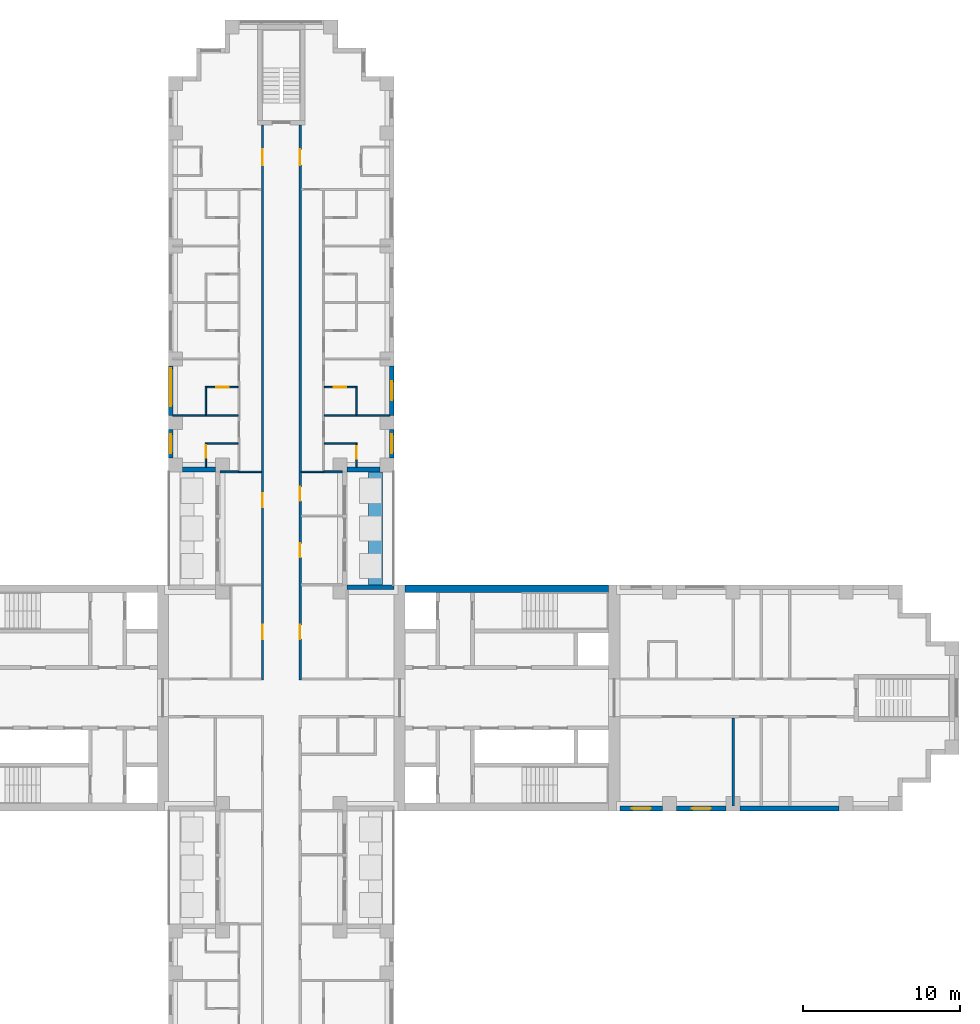
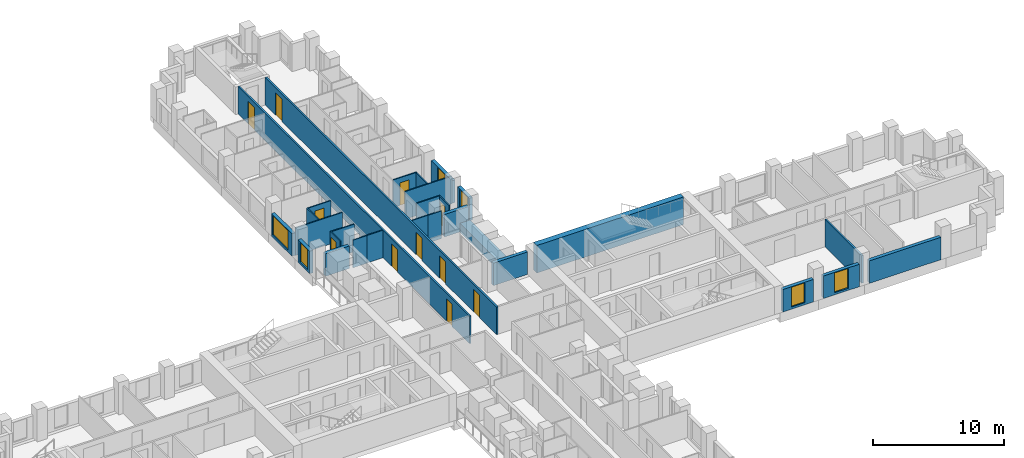
# One storey, part 9 of 15: 29 walls, 11 doors, 6 windows, 17 openings.
"""IFC4 building model written with IfcOpenShell, lengths in metres."""

from ifc_helpers import new_model, si_unit, direction, frame, frame_2d, origin, place, context, subcontext, project, spatial, rectangle, extrude, material, layer, layer_set, type_object, element, fill, save


model = new_model("IFC4")

# Units and contexts
model_context = context("Model", 3, precision=1e-05, world=origin(), true_north=direction((0.0, 1.0)))
body_context = subcontext(model_context, "Body", "Model", "MODEL_VIEW")
ifc_project = project(units=[si_unit("LENGTHUNIT", "METRE"), si_unit("AREAUNIT", "SQUARE_METRE"), si_unit("VOLUMEUNIT", "CUBIC_METRE"), si_unit("PLANEANGLEUNIT", "RADIAN"), si_unit("MASSUNIT", "GRAM", prefix="KILO")], contexts=[model_context])

# Site, building, storey
site_placement = place(None, origin())
site = spatial("IfcSite", under=ifc_project, at=site_placement, CompositionType="ELEMENT")
building_placement = place(site_placement, origin())
building = spatial("IfcBuilding", under=site, at=building_placement, Name="Fustian Cross Tower", CompositionType="ELEMENT")
storey_placement = place(building_placement, frame((0.0, 0.0, 14.699951171875)))
storey = spatial("IfcBuildingStorey", under=building, at=storey_placement, Name="L03", CompositionType="ELEMENT", Elevation=14.699951171875)

# Wall, openings, doors
ifc_material_1 = material(Name="Plasterboard on steel stud", Category="steel")
ifc_layer_1 = layer(ifc_material_1, 0.14990234375)
ifc_layer_set_1 = layer_set([ifc_layer_1], Name="Plasterboard on steel stud")
wall_type_1 = type_object("IfcWallType", Name="COMPARTMENT WALL 150 EI 60", PredefinedType="PARTITIONING", material=ifc_layer_set_1)
wall_1_placement = place(storey_placement, frame((-1.199951171875, 1.125, 0.0), z_axis=(0.0, 0.0, 1.0), x_axis=(0.0, 1.0, 0.0)))
wall_1 = element("IfcWall", 1, at=wall_1_placement, inside=storey, type_object=wall_type_1, Name="Partition 55", PredefinedType="PARTITIONING", context=body_context, shape_type="SweptSolid", body=[
    extrude(rectangle(XDim=35.375, YDim=0.14990234375, at=frame_2d((17.6875, 0.0))), origin(), (0.0, 0.0, 1.0), 2.574951171875),
])
opening_1_placement = place(wall_1_placement, frame((2.625, 0.0, 0.0)))
opening_1 = element("IfcOpeningElement", 2, at=opening_1_placement, cuts=wall_1, Name="Opening D04003", PredefinedType="OPENING", context=body_context, shape_type="SweptSolid", body=[
    extrude(rectangle(XDim=0.89990234375, YDim=2.10009765625, at=frame_2d((0.449951171875, 1.050048828125))), frame((0.0, 0.0849609375, 0.0), z_axis=(0.0, -1.0, 0.0), x_axis=(1.0, 0.0, 0.0)), (0.0, 0.0, 1.0), 0.169921875),
])
opening_2_placement = place(wall_1_placement, frame((11.02490234375, 0.0, 0.0)))
opening_2 = element("IfcOpeningElement", 3, at=opening_2_placement, cuts=wall_1, Name="Opening D04019", PredefinedType="OPENING", context=body_context, shape_type="SweptSolid", body=[
    extrude(rectangle(XDim=0.89990234375, YDim=2.10009765625, at=frame_2d((0.449951171875, 1.050048828125))), frame((0.0, 0.0849609375, 0.0), z_axis=(0.0, -1.0, 0.0), x_axis=(1.0, 0.0, 0.0)), (0.0, 0.0, 1.0), 0.169921875),
])
opening_3_placement = place(wall_1_placement, frame((32.824951171875, 0.0, 0.0)))
opening_3 = element("IfcOpeningElement", 4, at=opening_3_placement, cuts=wall_1, Name="Opening D04021", PredefinedType="OPENING", context=body_context, shape_type="SweptSolid", body=[
    extrude(rectangle(XDim=1.0, YDim=2.10009765625, at=frame_2d((0.5, 1.050048828125))), frame((0.0, 0.0849609375, 0.0), z_axis=(0.0, -1.0, 0.0), x_axis=(1.0, 0.0, 0.0)), (0.0, 0.0, 1.0), 0.169921875),
])
ifc_material_2 = material(Name="Timber fire door set", Category="wood")
door_type_1 = type_object("IfcDoorType", Name="FIRE SWING DOOR 1000 FD30S", OperationType="SINGLE_SWING_LEFT", PredefinedType="DOOR", material=ifc_material_2)
door_1_placement = place(opening_3_placement, origin())
door_1 = element("IfcDoor", 5, at=door_1_placement, inside=storey, type_object=door_type_1, Name="Door D04021", OperationType="SINGLE_SWING_LEFT", OverallHeight=2.10009765625, OverallWidth=1.0, PredefinedType="DOOR", context=body_context, shape_type="SweptSolid", body=[
    extrude(rectangle(XDim=1.0, YDim=2.10009765625, at=frame_2d((0.5, 1.050048828125))), frame((0.0, 0.02490234375, 0.0), z_axis=(0.0, -1.0, 0.0), x_axis=(1.0, 0.0, 0.0)), (0.0, 0.0, 1.0), 0.050048828125),
])
fill(opening_3, door_1)
ifc_material_3 = material(Name="Timber fire door set", Category="wood")
door_type_2 = type_object("IfcDoorType", Name="FIRE SWING DOOR 900 FD30S", OperationType="SINGLE_SWING_LEFT", PredefinedType="DOOR", material=ifc_material_3)
door_2_placement = place(opening_1_placement, origin())
door_2 = element("IfcDoor", 6, at=door_2_placement, inside=storey, type_object=door_type_2, Name="Door D04003", OperationType="SINGLE_SWING_LEFT", OverallHeight=2.10009765625, OverallWidth=0.89990234375, PredefinedType="DOOR", context=body_context, shape_type="SweptSolid", body=[
    extrude(rectangle(XDim=0.89990234375, YDim=2.10009765625, at=frame_2d((0.449951171875, 1.050048828125))), frame((0.0, 0.02490234375, 0.0), z_axis=(0.0, -1.0, 0.0), x_axis=(1.0, 0.0, 0.0)), (0.0, 0.0, 1.0), 0.050048828125),
])
fill(opening_1, door_2)
door_3_placement = place(opening_2_placement, origin())
door_3 = element("IfcDoor", 7, at=door_3_placement, inside=storey, type_object=door_type_2, Name="Door D04019", OperationType="SINGLE_SWING_RIGHT", OverallHeight=2.10009765625, OverallWidth=0.89990234375, PredefinedType="DOOR", context=body_context, shape_type="SweptSolid", body=[
    extrude(rectangle(XDim=0.89990234375, YDim=2.10009765625, at=frame_2d((0.449951171875, 1.050048828125))), frame((0.0, 0.02490234375, 0.0), z_axis=(0.0, -1.0, 0.0), x_axis=(1.0, 0.0, 0.0)), (0.0, 0.0, 1.0), 0.050048828125),
])
fill(opening_2, door_3)

wall_2_placement = place(storey_placement, frame((1.199951171875, 1.125, 0.0), z_axis=(0.0, 0.0, 1.0), x_axis=(0.0, 1.0, 0.0)))
wall_2 = element("IfcWall", 8, at=wall_2_placement, inside=storey, type_object=wall_type_1, Name="Partition 64", PredefinedType="PARTITIONING", context=body_context, shape_type="SweptSolid", body=[
    extrude(rectangle(XDim=35.375, YDim=0.14990234375, at=frame_2d((17.6875, 0.0))), origin(), (0.0, 0.0, 1.0), 2.574951171875),
])
opening_4_placement = place(wall_2_placement, frame((2.625, 0.0, 0.0)))
opening_4 = element("IfcOpeningElement", 9, at=opening_4_placement, cuts=wall_2, Name="Opening D04001", PredefinedType="OPENING", context=body_context, shape_type="SweptSolid", body=[
    extrude(rectangle(XDim=0.89990234375, YDim=2.10009765625, at=frame_2d((0.449951171875, 1.050048828125))), frame((0.0, 0.0849609375, 0.0), z_axis=(0.0, -1.0, 0.0), x_axis=(1.0, 0.0, 0.0)), (0.0, 0.0, 1.0), 0.169921875),
])
opening_5_placement = place(wall_2_placement, frame((11.425048828125, 0.0, 0.0)))
opening_5 = element("IfcOpeningElement", 10, at=opening_5_placement, cuts=wall_2, Name="Opening D04033", PredefinedType="OPENING", context=body_context, shape_type="SweptSolid", body=[
    extrude(rectangle(XDim=0.89990234375, YDim=2.10009765625, at=frame_2d((0.449951171875, 1.050048828125))), frame((0.0, 0.0849609375, 0.0), z_axis=(0.0, -1.0, 0.0), x_axis=(1.0, 0.0, 0.0)), (0.0, 0.0, 1.0), 0.169921875),
])
opening_6_placement = place(wall_2_placement, frame((7.824951171875, 0.0, 0.0)))
opening_6 = element("IfcOpeningElement", 11, at=opening_6_placement, cuts=wall_2, Name="Opening D04034", PredefinedType="OPENING", context=body_context, shape_type="SweptSolid", body=[
    extrude(rectangle(XDim=0.89990234375, YDim=2.10009765625, at=frame_2d((0.449951171875, 1.050048828125))), frame((0.0, 0.0849609375, 0.0), z_axis=(0.0, -1.0, 0.0), x_axis=(1.0, 0.0, 0.0)), (0.0, 0.0, 1.0), 0.169921875),
])
opening_7_placement = place(wall_2_placement, frame((32.824951171875, 0.0, 0.0)))
opening_7 = element("IfcOpeningElement", 12, at=opening_7_placement, cuts=wall_2, Name="Opening D04036", PredefinedType="OPENING", context=body_context, shape_type="SweptSolid", body=[
    extrude(rectangle(XDim=1.0, YDim=2.10009765625, at=frame_2d((0.5, 1.050048828125))), frame((0.0, 0.0849609375, 0.0), z_axis=(0.0, -1.0, 0.0), x_axis=(1.0, 0.0, 0.0)), (0.0, 0.0, 1.0), 0.169921875),
])
door_4_placement = place(opening_7_placement, frame((1.0, 0.0, 0.0), z_axis=(0.0, 0.0, 1.0), x_axis=(-1.0, 0.0, 0.0)))
door_4 = element("IfcDoor", 13, at=door_4_placement, inside=storey, type_object=door_type_1, Name="Door D04036", OperationType="SINGLE_SWING_RIGHT", OverallHeight=2.10009765625, OverallWidth=1.0, PredefinedType="DOOR", context=body_context, shape_type="SweptSolid", body=[
    extrude(rectangle(XDim=1.0, YDim=2.10009765625, at=frame_2d((0.5, 1.050048828125))), frame((0.0, 0.02490234375, 0.0), z_axis=(0.0, -1.0, 0.0), x_axis=(1.0, 0.0, 0.0)), (0.0, 0.0, 1.0), 0.050048828125),
])
fill(opening_7, door_4)
door_5_placement = place(opening_4_placement, frame((0.89990234375, 0.0, 0.0), z_axis=(0.0, 0.0, 1.0), x_axis=(-1.0, 0.0, 0.0)))
door_5 = element("IfcDoor", 14, at=door_5_placement, inside=storey, type_object=door_type_2, Name="Door D04001", OperationType="SINGLE_SWING_RIGHT", OverallHeight=2.10009765625, OverallWidth=0.89990234375, PredefinedType="DOOR", context=body_context, shape_type="SweptSolid", body=[
    extrude(rectangle(XDim=0.89990234375, YDim=2.10009765625, at=frame_2d((0.449951171875, 1.050048828125))), frame((0.0, 0.02490234375, 0.0), z_axis=(0.0, -1.0, 0.0), x_axis=(1.0, 0.0, 0.0)), (0.0, 0.0, 1.0), 0.050048828125),
])
fill(opening_4, door_5)
door_6_placement = place(opening_5_placement, frame((0.89990234375, 0.0, 0.0), z_axis=(0.0, 0.0, 1.0), x_axis=(-1.0, 0.0, 0.0)))
door_6 = element("IfcDoor", 15, at=door_6_placement, inside=storey, type_object=door_type_2, Name="Door D04033", OperationType="SINGLE_SWING_RIGHT", OverallHeight=2.10009765625, OverallWidth=0.89990234375, PredefinedType="DOOR", context=body_context, shape_type="SweptSolid", body=[
    extrude(rectangle(XDim=0.89990234375, YDim=2.10009765625, at=frame_2d((0.449951171875, 1.050048828125))), frame((0.0, 0.02490234375, 0.0), z_axis=(0.0, -1.0, 0.0), x_axis=(1.0, 0.0, 0.0)), (0.0, 0.0, 1.0), 0.050048828125),
])
fill(opening_5, door_6)
door_7_placement = place(opening_6_placement, frame((0.89990234375, 0.0, 0.0), z_axis=(0.0, 0.0, 1.0), x_axis=(-1.0, 0.0, 0.0)))
door_7 = element("IfcDoor", 16, at=door_7_placement, inside=storey, type_object=door_type_2, Name="Door D04034", OperationType="SINGLE_SWING_RIGHT", OverallHeight=2.10009765625, OverallWidth=0.89990234375, PredefinedType="DOOR", context=body_context, shape_type="SweptSolid", body=[
    extrude(rectangle(XDim=0.89990234375, YDim=2.10009765625, at=frame_2d((0.449951171875, 1.050048828125))), frame((0.0, 0.02490234375, 0.0), z_axis=(0.0, -1.0, 0.0), x_axis=(1.0, 0.0, 0.0)), (0.0, 0.0, 1.0), 0.050048828125),
])
fill(opening_6, door_7)

# Walls
wall_3_placement = place(storey_placement, frame((28.800048828125, -6.89990234375, 0.0), z_axis=(0.0, 0.0, 1.0), x_axis=(0.0, 1.0, 0.0)))
element("IfcWall", 17, at=wall_3_placement, inside=storey, type_object=wall_type_1, Name="Partition 104", PredefinedType="PARTITIONING", context=body_context, shape_type="SweptSolid", body=[
    extrude(rectangle(XDim=5.625, YDim=0.14990234375, at=frame_2d((2.8125, 0.0))), origin(), (0.0, 0.0, 1.0), 2.574951171875),
])
ifc_material_4 = material(Name="Concrete C80/95", Category="concrete")
ifc_layer_2 = layer(ifc_material_4, 0.5)
ifc_layer_set_2 = layer_set([ifc_layer_2], Name="Concrete C80/95")
wall_type_2 = type_object("IfcWallType", Name="CORE FACADE WALL 500 C80/95", PredefinedType="SHEAR", material=ifc_layer_set_2)
wall_4_placement = place(storey_placement, frame((7.89990234375, 6.949951171875, 0.0), z_axis=(0.0, 0.0, 1.0), x_axis=(1.0, 0.0, 0.0)))
element("IfcWall", 18, at=wall_4_placement, inside=storey, type_object=wall_type_2, Name="Core facade wall", PredefinedType="SHEAR", context=body_context, shape_type="SweptSolid", body=[
    extrude(rectangle(XDim=12.9501953125, YDim=0.5, at=frame_2d((6.47509765625, 0.0))), origin(), (0.0, 0.0, 1.0), 2.574951171875),
])
ifc_material_5 = material(Name="Plasterboard on steel stud", Category="steel")
ifc_layer_3 = layer(ifc_material_5, 0.10009765625)
ifc_layer_set_3 = layer_set([ifc_layer_3], Name="Plasterboard on steel stud")
wall_type_3 = type_object("IfcWallType", Name="PARTITION 100 STUD", PredefinedType="PARTITIONING", material=ifc_layer_set_3)
wall_5_placement = place(storey_placement, frame((-6.89990234375, 18.0, 0.0), z_axis=(0.0, 0.0, 1.0), x_axis=(1.0, 0.0, 0.0)))
element("IfcWall", 19, at=wall_5_placement, inside=storey, type_object=wall_type_3, Name="Partition 17", PredefinedType="PARTITIONING", context=body_context, shape_type="SweptSolid", body=[
    extrude(rectangle(XDim=4.14990234375, YDim=0.10009765625, at=frame_2d((2.074951171875, 0.0))), origin(), (0.0, 0.0, 1.0), 2.574951171875),
])

# Wall, opening, door
wall_6_placement = place(storey_placement, frame((-4.800048828125, 14.699951171875, 0.0), z_axis=(0.0, 0.0, 1.0), x_axis=(0.0, 1.0, 0.0)))
wall_6 = element("IfcWall", 20, at=wall_6_placement, inside=storey, type_object=wall_type_3, Name="Partition 35", PredefinedType="PARTITIONING", context=body_context, shape_type="SweptSolid", body=[
    extrude(rectangle(XDim=1.550048828125, YDim=0.10009765625, at=frame_2d((0.77490234375, 0.0))), origin(), (0.0, 0.0, 1.0), 2.574951171875),
])
opening_8_placement = place(wall_6_placement, frame((0.60009765625, 0.0, 0.0)))
opening_8 = element("IfcOpeningElement", 21, at=opening_8_placement, cuts=wall_6, Name="Opening D04028", PredefinedType="OPENING", context=body_context, shape_type="SweptSolid", body=[
    extrude(rectangle(XDim=0.800048828125, YDim=2.10009765625, at=frame_2d((0.39990234375, 1.050048828125))), frame((0.0, 0.06005859375, 0.0), z_axis=(0.0, -1.0, 0.0), x_axis=(1.0, 0.0, 0.0)), (0.0, 0.0, 1.0), 0.1201171875),
])
ifc_material_6 = material(Name="Painted timber", Category="wood")
door_type_3 = type_object("IfcDoorType", Name="SWING DOOR 800", OperationType="SINGLE_SWING_LEFT", PredefinedType="DOOR", material=ifc_material_6)
door_8_placement = place(opening_8_placement, frame((0.800048828125, 0.0, 0.0), z_axis=(0.0, 0.0, 1.0), x_axis=(-1.0, 0.0, 0.0)))
door_8 = element("IfcDoor", 22, at=door_8_placement, inside=storey, type_object=door_type_3, Name="Door D04028", OperationType="SINGLE_SWING_LEFT", OverallHeight=2.10009765625, OverallWidth=0.800048828125, PredefinedType="DOOR", context=body_context, shape_type="SweptSolid", body=[
    extrude(rectangle(XDim=0.800048828125, YDim=2.10009765625, at=frame_2d((0.39990234375, 1.050048828125))), frame((0.0, 0.02490234375, 0.0), z_axis=(0.0, -1.0, 0.0), x_axis=(1.0, 0.0, 0.0)), (0.0, 0.0, 1.0), 0.050048828125),
])
fill(opening_8, door_8)

# Walls
wall_7_placement = place(storey_placement, frame((-4.75, 16.199951171875, 0.0), z_axis=(0.0, 0.0, 1.0), x_axis=(1.0, 0.0, 0.0)))
element("IfcWall", 23, at=wall_7_placement, inside=storey, type_object=wall_type_3, Name="Partition 36", PredefinedType="PARTITIONING", context=body_context, shape_type="SweptSolid", body=[
    extrude(rectangle(XDim=2.0, YDim=0.10009765625, at=frame_2d((1.0, 0.0))), origin(), (0.0, 0.0, 1.0), 2.574951171875),
])
wall_8_placement = place(storey_placement, frame((-4.800048828125, 18.050048828125, 0.0), z_axis=(0.0, 0.0, 1.0), x_axis=(0.0, 1.0, 0.0)))
element("IfcWall", 24, at=wall_8_placement, inside=storey, type_object=wall_type_3, Name="Partition 37", PredefinedType="PARTITIONING", context=body_context, shape_type="SweptSolid", body=[
    extrude(rectangle(XDim=1.800048828125, YDim=0.10009765625, at=frame_2d((0.89990234375, 0.0))), origin(), (0.0, 0.0, 1.0), 2.574951171875),
])

# Wall, opening, door
wall_9_placement = place(storey_placement, frame((-4.75, 19.800048828125, 0.0), z_axis=(0.0, 0.0, 1.0), x_axis=(1.0, 0.0, 0.0)))
wall_9 = element("IfcWall", 25, at=wall_9_placement, inside=storey, type_object=wall_type_3, Name="Partition 38", PredefinedType="PARTITIONING", context=body_context, shape_type="SweptSolid", body=[
    extrude(rectangle(XDim=2.0, YDim=0.10009765625, at=frame_2d((1.0, 0.0))), origin(), (0.0, 0.0, 1.0), 2.574951171875),
])
opening_9_placement = place(wall_9_placement, frame((0.60009765625, 0.0, 0.0)))
opening_9 = element("IfcOpeningElement", 26, at=opening_9_placement, cuts=wall_9, Name="Opening D04029", PredefinedType="OPENING", context=body_context, shape_type="SweptSolid", body=[
    extrude(rectangle(XDim=0.800048828125, YDim=2.10009765625, at=frame_2d((0.39990234375, 1.050048828125))), frame((0.0, 0.06005859375, 0.0), z_axis=(0.0, -1.0, 0.0), x_axis=(1.0, 0.0, 0.0)), (0.0, 0.0, 1.0), 0.1201171875),
])
door_9_placement = place(opening_9_placement, frame((0.800048828125, 0.0, 0.0), z_axis=(0.0, 0.0, 1.0), x_axis=(-1.0, 0.0, 0.0)))
door_9 = element("IfcDoor", 27, at=door_9_placement, inside=storey, type_object=door_type_3, Name="Door D04029", OperationType="SINGLE_SWING_RIGHT", OverallHeight=2.10009765625, OverallWidth=0.800048828125, PredefinedType="DOOR", context=body_context, shape_type="SweptSolid", body=[
    extrude(rectangle(XDim=0.800048828125, YDim=2.10009765625, at=frame_2d((0.39990234375, 1.050048828125))), frame((0.0, 0.02490234375, 0.0), z_axis=(0.0, -1.0, 0.0), x_axis=(1.0, 0.0, 0.0)), (0.0, 0.0, 1.0), 0.050048828125),
])
fill(opening_9, door_9)

# Walls
for number, where, z_axis, x_axis, name in (
    (28, (-2.699951171875, 14.39990234375, 0.0), (0.0, 0.0, 1.0), (1.0, 0.0, 0.0), "Partition 53"),
    (29, (1.27490234375, 14.39990234375, 0.0), (0.0, 0.0, 1.0), (1.0, 0.0, 0.0), "Partition 68"),
):
    element("IfcWall", number, at=place(storey_placement, frame(where, z_axis=z_axis, x_axis=x_axis)), inside=storey, type_object=wall_type_3, Name=name, PredefinedType="PARTITIONING", context=body_context, shape_type="SweptSolid", body=[
        extrude(rectangle(XDim=1.425048828125, YDim=0.10009765625, at=frame_2d((0.71240234375, 0.0))), origin(), (0.0, 0.0, 1.0), 2.574951171875),
    ])
wall_10_placement = place(storey_placement, frame((2.75, 16.199951171875, 0.0), z_axis=(0.0, 0.0, 1.0), x_axis=(1.0, 0.0, 0.0)))
element("IfcWall", 30, at=wall_10_placement, inside=storey, type_object=wall_type_3, Name="Partition 76", PredefinedType="PARTITIONING", context=body_context, shape_type="SweptSolid", body=[
    extrude(rectangle(XDim=2.10009765625, YDim=0.10009765625, at=frame_2d((1.050048828125, 0.0))), origin(), (0.0, 0.0, 1.0), 2.574951171875),
])
wall_11_placement = place(storey_placement, frame((2.75, 18.0, 0.0), z_axis=(0.0, 0.0, 1.0), x_axis=(1.0, 0.0, 0.0)))
element("IfcWall", 31, at=wall_11_placement, inside=storey, type_object=wall_type_3, Name="Partition 77", PredefinedType="PARTITIONING", context=body_context, shape_type="SweptSolid", body=[
    extrude(rectangle(XDim=4.14990234375, YDim=0.10009765625, at=frame_2d((2.074951171875, 0.0))), origin(), (0.0, 0.0, 1.0), 2.574951171875),
])

# Wall, opening, door
wall_12_placement = place(storey_placement, frame((2.75, 19.800048828125, 0.0), z_axis=(0.0, 0.0, 1.0), x_axis=(1.0, 0.0, 0.0)))
wall_12 = element("IfcWall", 32, at=wall_12_placement, inside=storey, type_object=wall_type_3, Name="Partition 78", PredefinedType="PARTITIONING", context=body_context, shape_type="SweptSolid", body=[
    extrude(rectangle(XDim=2.10009765625, YDim=0.10009765625, at=frame_2d((1.050048828125, 0.0))), origin(), (0.0, 0.0, 1.0), 2.574951171875),
])
opening_10_placement = place(wall_12_placement, frame((0.60009765625, 0.0, 0.0)))
opening_10 = element("IfcOpeningElement", 33, at=opening_10_placement, cuts=wall_12, Name="Opening D04044", PredefinedType="OPENING", context=body_context, shape_type="SweptSolid", body=[
    extrude(rectangle(XDim=0.800048828125, YDim=2.10009765625, at=frame_2d((0.39990234375, 1.050048828125))), frame((0.0, 0.06005859375, 0.0), z_axis=(0.0, -1.0, 0.0), x_axis=(1.0, 0.0, 0.0)), (0.0, 0.0, 1.0), 0.1201171875),
])
door_10_placement = place(opening_10_placement, frame((0.800048828125, 0.0, 0.0), z_axis=(0.0, 0.0, 1.0), x_axis=(-1.0, 0.0, 0.0)))
door_10 = element("IfcDoor", 34, at=door_10_placement, inside=storey, type_object=door_type_3, Name="Door D04044", OperationType="SINGLE_SWING_RIGHT", OverallHeight=2.10009765625, OverallWidth=0.800048828125, PredefinedType="DOOR", context=body_context, shape_type="SweptSolid", body=[
    extrude(rectangle(XDim=0.800048828125, YDim=2.10009765625, at=frame_2d((0.39990234375, 1.050048828125))), frame((0.0, 0.02490234375, 0.0), z_axis=(0.0, -1.0, 0.0), x_axis=(1.0, 0.0, 0.0)), (0.0, 0.0, 1.0), 0.050048828125),
])
fill(opening_10, door_10)

wall_13_placement = place(storey_placement, frame((4.800048828125, 14.699951171875, 0.0), z_axis=(0.0, 0.0, 1.0), x_axis=(0.0, 1.0, 0.0)))
wall_13 = element("IfcWall", 35, at=wall_13_placement, inside=storey, type_object=wall_type_3, Name="Partition 88", PredefinedType="PARTITIONING", context=body_context, shape_type="SweptSolid", body=[
    extrude(rectangle(XDim=1.449951171875, YDim=0.10009765625, at=frame_2d((0.72509765625, 0.0))), origin(), (0.0, 0.0, 1.0), 2.574951171875),
])
opening_11_placement = place(wall_13_placement, frame((0.550048828125, 0.0, 0.0)))
opening_11 = element("IfcOpeningElement", 36, at=opening_11_placement, cuts=wall_13, Name="Opening D04043", PredefinedType="OPENING", context=body_context, shape_type="SweptSolid", body=[
    extrude(rectangle(XDim=0.800048828125, YDim=2.10009765625, at=frame_2d((0.39990234375, 1.050048828125))), frame((0.0, 0.06005859375, 0.0), z_axis=(0.0, -1.0, 0.0), x_axis=(1.0, 0.0, 0.0)), (0.0, 0.0, 1.0), 0.1201171875),
])
door_11_placement = place(opening_11_placement, frame((0.800048828125, 0.0, 0.0), z_axis=(0.0, 0.0, 1.0), x_axis=(-1.0, 0.0, 0.0)))
door_11 = element("IfcDoor", 37, at=door_11_placement, inside=storey, type_object=door_type_3, Name="Door D04043", OperationType="SINGLE_SWING_RIGHT", OverallHeight=2.10009765625, OverallWidth=0.800048828125, PredefinedType="DOOR", context=body_context, shape_type="SweptSolid", body=[
    extrude(rectangle(XDim=0.800048828125, YDim=2.10009765625, at=frame_2d((0.39990234375, 1.050048828125))), frame((0.0, 0.02490234375, 0.0), z_axis=(0.0, -1.0, 0.0), x_axis=(1.0, 0.0, 0.0)), (0.0, 0.0, 1.0), 0.050048828125),
])
fill(opening_11, door_11)

# Walls
wall_14_placement = place(storey_placement, frame((4.800048828125, 18.050048828125, 0.0), z_axis=(0.0, 0.0, 1.0), x_axis=(0.0, 1.0, 0.0)))
element("IfcWall", 38, at=wall_14_placement, inside=storey, type_object=wall_type_3, Name="Partition 89", PredefinedType="PARTITIONING", context=body_context, shape_type="SweptSolid", body=[
    extrude(rectangle(XDim=1.699951171875, YDim=0.10009765625, at=frame_2d((0.85009765625, 0.0))), origin(), (0.0, 0.0, 1.0), 2.574951171875),
])
ifc_material_7 = material(Name="Concrete C40/50", Category="concrete")
ifc_layer_4 = layer(ifc_material_7, 0.89990234375)
ifc_layer_set_4 = layer_set([ifc_layer_4], Name="Concrete C40/50")
wall_type_4 = type_object("IfcWallType", Name="PK1 PLANTER 900", PredefinedType="PARAPET", material=ifc_layer_set_4)
wall_15_placement = place(storey_placement, frame((6.0, 7.199951171875, 0.0), z_axis=(0.0, 0.0, 1.0), x_axis=(0.0, 1.0, 0.0)))
element("IfcWall", 39, at=wall_15_placement, inside=storey, type_object=wall_type_4, Name="PLANTER", PredefinedType="PARAPET", context=body_context, shape_type="SweptSolid", body=[
    extrude(rectangle(XDim=7.199951171875, YDim=0.89990234375, at=frame_2d((3.60009765625, 0.0))), origin(), (0.0, 0.0, 1.0), 0.800048828125),
])
ifc_material_8 = material(Name="Plasterboard on steel stud", Category="steel")
ifc_layer_5 = layer(ifc_material_8, 0.125)
ifc_layer_set_5 = layer_set([ifc_layer_5], Name="Plasterboard on steel stud")
wall_type_5 = type_object("IfcWallType", Name="WET WALL 125 STUD", PredefinedType="PARTITIONING", material=ifc_layer_set_5)
for number, where, z_axis, x_axis, name in (
    (40, (-3.89990234375, 14.39990234375, 0.0), (0.0, 0.0, 1.0), (1.0, 0.0, 0.0), "Partition 48"),
    (41, (2.699951171875, 14.39990234375, 0.0), (0.0, 0.0, 1.0), (1.0, 0.0, 0.0), "Partition 75"),
):
    element("IfcWall", number, at=place(storey_placement, frame(where, z_axis=z_axis, x_axis=x_axis)), inside=storey, type_object=wall_type_5, Name=name, PredefinedType="PARTITIONING", context=body_context, shape_type="SweptSolid", body=[
        extrude(rectangle(XDim=1.199951171875, YDim=0.125, at=frame_2d((0.60009765625, 0.0))), origin(), (0.0, 0.0, 1.0), 2.574951171875),
    ])

# Wall, opening, window
ifc_material_9 = material(Name="Dark aluminium cladding on insulated backing wall", Category="aluminium")
ifc_layer_6 = layer(ifc_material_9, 0.300048828125)
ifc_layer_set_6 = layer_set([ifc_layer_6], Name="Dark aluminium cladding on insulated backing wall")
wall_type_6 = type_object("IfcWallType", Name="XW1 EXTERNAL WALL 300", PredefinedType="SOLIDWALL", material=ifc_layer_set_6)
wall_16_placement = place(storey_placement, frame((21.60009765625, -7.050048828125, 0.0), z_axis=(0.0, 0.0, 1.0), x_axis=(1.0, 0.0, 0.0)))
wall_16 = element("IfcWall", 42, at=wall_16_placement, inside=storey, type_object=wall_type_6, Name="External wall", PredefinedType="SOLIDWALL", context=body_context, shape_type="SweptSolid", body=[
    extrude(rectangle(XDim=2.699951171875, YDim=0.300048828125, at=frame_2d((1.35009765625, 0.0))), origin(), (0.0, 0.0, 1.0), 2.10009765625),
])
opening_12_placement = place(wall_16_placement, frame((0.75, 0.0, 0.199951171875)))
opening_12 = element("IfcOpeningElement", 43, at=opening_12_placement, cuts=wall_16, Name="Opening WN3", PredefinedType="OPENING", context=body_context, shape_type="SweptSolid", body=[
    extrude(rectangle(XDim=1.199951171875, YDim=1.85009765625, at=frame_2d((0.60009765625, 0.925048828125))), frame((0.0, 0.159912109375, 0.0), z_axis=(0.0, -1.0, 0.0), x_axis=(1.0, 0.0, 0.0)), (0.0, 0.0, 1.0), 0.320068359375),
])
ifc_material_10 = material(Name="Dark anodised aluminium and double glazing", Category="aluminium")
window_type_1 = type_object("IfcWindowType", Name="WN3 WINDOW 1200X1850", PartitioningType="SINGLE_PANEL", PredefinedType="WINDOW", material=ifc_material_10)
window_1_placement = place(opening_12_placement, origin())
window_1 = element("IfcWindow", 44, at=window_1_placement, inside=storey, type_object=window_type_1, Name="Window", OverallHeight=1.85009765625, OverallWidth=1.199951171875, PartitioningType="SINGLE_PANEL", PredefinedType="WINDOW", context=body_context, shape_type="SweptSolid", body=[
    extrude(rectangle(XDim=1.199951171875, YDim=1.85009765625, at=frame_2d((0.60009765625, 0.925048828125))), frame((0.0, 0.030029296875, 0.0), z_axis=(0.0, -1.0, 0.0), x_axis=(1.0, 0.0, 0.0)), (0.0, 0.0, 1.0), 0.06005859375),
])
fill(opening_12, window_1)

wall_17_placement = place(storey_placement, frame((25.199951171875, -7.050048828125, 0.0), z_axis=(0.0, 0.0, 1.0), x_axis=(1.0, 0.0, 0.0)))
wall_17 = element("IfcWall", 45, at=wall_17_placement, inside=storey, type_object=wall_type_6, Name="External wall", PredefinedType="SOLIDWALL", context=body_context, shape_type="SweptSolid", body=[
    extrude(rectangle(XDim=3.150146484375, YDim=0.300048828125, at=frame_2d((1.5751953125, 0.0))), origin(), (0.0, 0.0, 1.0), 2.10009765625),
])
opening_13_placement = place(wall_17_placement, frame((0.97509765625, 0.0, 0.199951171875)))
opening_13 = element("IfcOpeningElement", 46, at=opening_13_placement, cuts=wall_17, Name="Opening WN3", PredefinedType="OPENING", context=body_context, shape_type="SweptSolid", body=[
    extrude(rectangle(XDim=1.199951171875, YDim=1.85009765625, at=frame_2d((0.60009765625, 0.925048828125))), frame((0.0, 0.159912109375, 0.0), z_axis=(0.0, -1.0, 0.0), x_axis=(1.0, 0.0, 0.0)), (0.0, 0.0, 1.0), 0.320068359375),
])
window_2_placement = place(opening_13_placement, origin())
window_2 = element("IfcWindow", 47, at=window_2_placement, inside=storey, type_object=window_type_1, Name="Window", OverallHeight=1.85009765625, OverallWidth=1.199951171875, PartitioningType="SINGLE_PANEL", PredefinedType="WINDOW", context=body_context, shape_type="SweptSolid", body=[
    extrude(rectangle(XDim=1.199951171875, YDim=1.85009765625, at=frame_2d((0.60009765625, 0.925048828125))), frame((0.0, 0.030029296875, 0.0), z_axis=(0.0, -1.0, 0.0), x_axis=(1.0, 0.0, 0.0)), (0.0, 0.0, 1.0), 0.06005859375),
])
fill(opening_13, window_2)

# Walls
wall_18_placement = place(storey_placement, frame((29.25, -7.050048828125, 0.0), z_axis=(0.0, 0.0, 1.0), x_axis=(1.0, 0.0, 0.0)))
element("IfcWall", 48, at=wall_18_placement, inside=storey, type_object=wall_type_6, Name="External wall", PredefinedType="SOLIDWALL", context=body_context, shape_type="SweptSolid", body=[
    extrude(rectangle(XDim=6.300048828125, YDim=0.300048828125, at=frame_2d((3.14990234375, 0.0))), origin(), (0.0, 0.0, 1.0), 2.10009765625),
])
wall_19_placement = place(storey_placement, frame((7.199951171875, 7.050048828125, 0.0), z_axis=(0.0, 0.0, 1.0), x_axis=(-1.0, 0.0, 0.0)))
element("IfcWall", 49, at=wall_19_placement, inside=storey, type_object=wall_type_6, Name="External wall", PredefinedType="SOLIDWALL", context=body_context, shape_type="SweptSolid", body=[
    extrude(rectangle(XDim=3.0, YDim=0.300048828125, at=frame_2d((1.5, 0.0))), origin(), (0.0, 0.0, 1.0), 2.10009765625),
])
wall_20_placement = place(storey_placement, frame((4.199951171875, 14.550048828125, 0.0), z_axis=(0.0, 0.0, 1.0), x_axis=(1.0, 0.0, 0.0)))
element("IfcWall", 50, at=wall_20_placement, inside=storey, type_object=wall_type_6, Name="External wall", PredefinedType="SOLIDWALL", context=body_context, shape_type="SweptSolid", body=[
    extrude(rectangle(XDim=2.10009765625, YDim=0.300048828125, at=frame_2d((1.050048828125, 0.0))), origin(), (0.0, 0.0, 1.0), 2.10009765625),
])

# Wall, opening, window
wall_21_placement = place(storey_placement, frame((7.050048828125, 15.300048828125, 0.0), z_axis=(0.0, 0.0, 1.0), x_axis=(0.0, 1.0, 0.0)))
wall_21 = element("IfcWall", 51, at=wall_21_placement, inside=storey, type_object=wall_type_6, Name="External wall", PredefinedType="SOLIDWALL", context=body_context, shape_type="SweptSolid", body=[
    extrude(rectangle(XDim=1.800048828125, YDim=0.300048828125, at=frame_2d((0.89990234375, 0.0))), origin(), (0.0, 0.0, 1.0), 2.10009765625),
])
opening_14_placement = place(wall_21_placement, frame((0.300048828125, 0.0, 0.199951171875)))
opening_14 = element("IfcOpeningElement", 52, at=opening_14_placement, cuts=wall_21, Name="Opening WN3", PredefinedType="OPENING", context=body_context, shape_type="SweptSolid", body=[
    extrude(rectangle(XDim=1.199951171875, YDim=1.85009765625, at=frame_2d((0.60009765625, 0.925048828125))), frame((0.0, 0.159912109375, 0.0), z_axis=(0.0, -1.0, 0.0), x_axis=(1.0, 0.0, 0.0)), (0.0, 0.0, 1.0), 0.320068359375),
])
window_3_placement = place(opening_14_placement, origin())
window_3 = element("IfcWindow", 53, at=window_3_placement, inside=storey, type_object=window_type_1, Name="Window", OverallHeight=1.85009765625, OverallWidth=1.199951171875, PartitioningType="SINGLE_PANEL", PredefinedType="WINDOW", context=body_context, shape_type="SweptSolid", body=[
    extrude(rectangle(XDim=1.199951171875, YDim=1.85009765625, at=frame_2d((0.60009765625, 0.925048828125))), frame((0.0, 0.030029296875, 0.0), z_axis=(0.0, -1.0, 0.0), x_axis=(1.0, 0.0, 0.0)), (0.0, 0.0, 1.0), 0.06005859375),
])
fill(opening_14, window_3)

wall_22_placement = place(storey_placement, frame((7.050048828125, 18.0, 0.0), z_axis=(0.0, 0.0, 1.0), x_axis=(0.0, 1.0, 0.0)))
wall_22 = element("IfcWall", 54, at=wall_22_placement, inside=storey, type_object=wall_type_6, Name="External wall", PredefinedType="SOLIDWALL", context=body_context, shape_type="SweptSolid", body=[
    extrude(rectangle(XDim=3.14990234375, YDim=0.300048828125, at=frame_2d((1.574951171875, 0.0))), origin(), (0.0, 0.0, 1.0), 2.10009765625),
])
opening_15_placement = place(wall_22_placement, frame((0.97509765625, 0.0, 0.199951171875)))
opening_15 = element("IfcOpeningElement", 55, at=opening_15_placement, cuts=wall_22, Name="Opening WN3", PredefinedType="OPENING", context=body_context, shape_type="SweptSolid", body=[
    extrude(rectangle(XDim=1.199951171875, YDim=1.85009765625, at=frame_2d((0.60009765625, 0.925048828125))), frame((0.0, 0.159912109375, 0.0), z_axis=(0.0, -1.0, 0.0), x_axis=(1.0, 0.0, 0.0)), (0.0, 0.0, 1.0), 0.320068359375),
])
window_4_placement = place(opening_15_placement, origin())
window_4 = element("IfcWindow", 56, at=window_4_placement, inside=storey, type_object=window_type_1, Name="Window", OverallHeight=1.85009765625, OverallWidth=1.199951171875, PartitioningType="SINGLE_PANEL", PredefinedType="WINDOW", context=body_context, shape_type="SweptSolid", body=[
    extrude(rectangle(XDim=1.199951171875, YDim=1.85009765625, at=frame_2d((0.60009765625, 0.925048828125))), frame((0.0, 0.030029296875, 0.0), z_axis=(0.0, -1.0, 0.0), x_axis=(1.0, 0.0, 0.0)), (0.0, 0.0, 1.0), 0.06005859375),
])
fill(opening_15, window_4)

wall_23_placement = place(storey_placement, frame((-7.050048828125, 21.14990234375, 0.0), z_axis=(0.0, 0.0, 1.0), x_axis=(0.0, -1.0, 0.0)))
wall_23 = element("IfcWall", 57, at=wall_23_placement, inside=storey, type_object=wall_type_6, Name="External wall", PredefinedType="SOLIDWALL", context=body_context, shape_type="SweptSolid", body=[
    extrude(rectangle(XDim=3.14990234375, YDim=0.300048828125, at=frame_2d((1.574951171875, 0.0))), origin(), (0.0, 0.0, 1.0), 2.10009765625),
])
opening_16_placement = place(wall_23_placement, frame((0.14990234375, 0.0, 0.199951171875)))
opening_16 = element("IfcOpeningElement", 58, at=opening_16_placement, cuts=wall_23, Name="Opening WN1", PredefinedType="OPENING", context=body_context, shape_type="SweptSolid", body=[
    extrude(rectangle(XDim=2.39990234375, YDim=1.85009765625, at=frame_2d((1.199951171875, 0.925048828125))), frame((0.0, 0.159912109375, 0.0), z_axis=(0.0, -1.0, 0.0), x_axis=(1.0, 0.0, 0.0)), (0.0, 0.0, 1.0), 0.320068359375),
])
ifc_material_11 = material(Name="Dark anodised aluminium and double glazing", Category="aluminium")
window_type_2 = type_object("IfcWindowType", Name="WN1 WINDOW 2400X1850", PartitioningType="SINGLE_PANEL", PredefinedType="WINDOW", material=ifc_material_11)
window_5_placement = place(opening_16_placement, origin())
window_5 = element("IfcWindow", 59, at=window_5_placement, inside=storey, type_object=window_type_2, Name="Window", OverallHeight=1.85009765625, OverallWidth=2.39990234375, PartitioningType="SINGLE_PANEL", PredefinedType="WINDOW", context=body_context, shape_type="SweptSolid", body=[
    extrude(rectangle(XDim=2.39990234375, YDim=1.85009765625, at=frame_2d((1.199951171875, 0.925048828125))), frame((0.0, 0.030029296875, 0.0), z_axis=(0.0, -1.0, 0.0), x_axis=(1.0, 0.0, 0.0)), (0.0, 0.0, 1.0), 0.06005859375),
])
fill(opening_16, window_5)

wall_24_placement = place(storey_placement, frame((-7.050048828125, 17.10009765625, 0.0), z_axis=(0.0, 0.0, 1.0), x_axis=(0.0, -1.0, 0.0)))
wall_24 = element("IfcWall", 60, at=wall_24_placement, inside=storey, type_object=wall_type_6, Name="External wall", PredefinedType="SOLIDWALL", context=body_context, shape_type="SweptSolid", body=[
    extrude(rectangle(XDim=1.800048828125, YDim=0.300048828125, at=frame_2d((0.89990234375, 0.0))), origin(), (0.0, 0.0, 1.0), 2.10009765625),
])
opening_17_placement = place(wall_24_placement, frame((0.300048828125, 0.0, 0.199951171875)))
opening_17 = element("IfcOpeningElement", 61, at=opening_17_placement, cuts=wall_24, Name="Opening WN3", PredefinedType="OPENING", context=body_context, shape_type="SweptSolid", body=[
    extrude(rectangle(XDim=1.199951171875, YDim=1.85009765625, at=frame_2d((0.60009765625, 0.925048828125))), frame((0.0, 0.159912109375, 0.0), z_axis=(0.0, -1.0, 0.0), x_axis=(1.0, 0.0, 0.0)), (0.0, 0.0, 1.0), 0.320068359375),
])
window_6_placement = place(opening_17_placement, origin())
window_6 = element("IfcWindow", 62, at=window_6_placement, inside=storey, type_object=window_type_1, Name="Window", OverallHeight=1.85009765625, OverallWidth=1.199951171875, PartitioningType="SINGLE_PANEL", PredefinedType="WINDOW", context=body_context, shape_type="SweptSolid", body=[
    extrude(rectangle(XDim=1.199951171875, YDim=1.85009765625, at=frame_2d((0.60009765625, 0.925048828125))), frame((0.0, 0.030029296875, 0.0), z_axis=(0.0, -1.0, 0.0), x_axis=(1.0, 0.0, 0.0)), (0.0, 0.0, 1.0), 0.06005859375),
])
fill(opening_17, window_6)

# Wall
wall_25_placement = place(storey_placement, frame((-6.300048828125, 14.550048828125, 0.0), z_axis=(0.0, 0.0, 1.0), x_axis=(1.0, 0.0, 0.0)))
element("IfcWall", 63, at=wall_25_placement, inside=storey, type_object=wall_type_6, Name="External wall", PredefinedType="SOLIDWALL", context=body_context, shape_type="SweptSolid", body=[
    extrude(rectangle(XDim=2.10009765625, YDim=0.300048828125, at=frame_2d((1.050048828125, 0.0))), origin(), (0.0, 0.0, 1.0), 2.10009765625),
])

save(model, "model.ifc")
